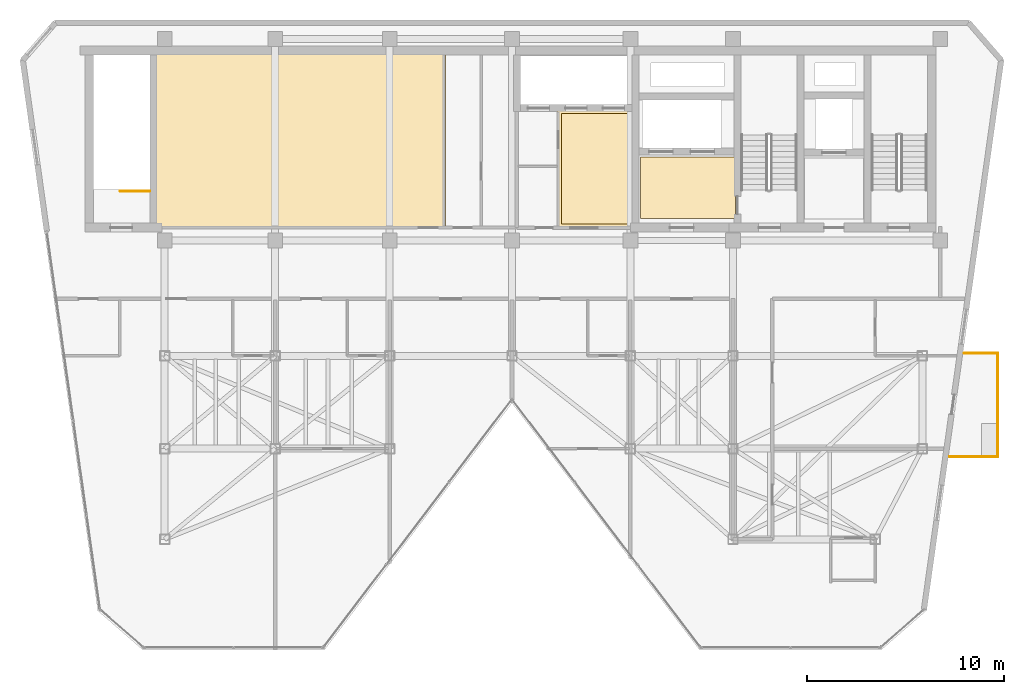
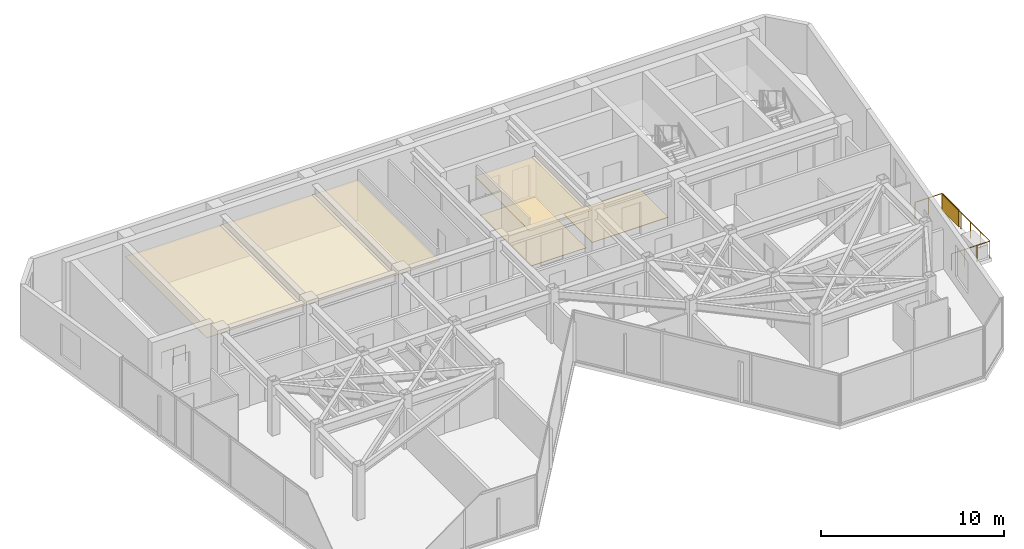
# One storey, part 19 of 20: 4 coverings, 4 railings, 1 shading device.
"""IFC4 building model written with IfcOpenShell, lengths in metres."""

from ifc_helpers import new_model, si_unit, direction, frame, origin, origin_2d, place, context, subcontext, project, spatial, polyline, rectangle, circle, outline, extrude, material, layer, layer_set, type_object, element, save


model = new_model("IFC4")

# Units and contexts
model_context = context("Model", 3, precision=1e-05, world=origin(), true_north=direction((0.0, 1.0)))
body_context = subcontext(model_context, "Body", "Model", "MODEL_VIEW")
ifc_project = project(units=[si_unit("LENGTHUNIT", "METRE"), si_unit("AREAUNIT", "SQUARE_METRE"), si_unit("VOLUMEUNIT", "CUBIC_METRE"), si_unit("PLANEANGLEUNIT", "RADIAN"), si_unit("MASSUNIT", "GRAM", prefix="KILO")], contexts=[model_context])

# Site, building, storey
site_placement = place(None, origin())
site = spatial("IfcSite", under=ifc_project, at=site_placement, CompositionType="ELEMENT")
building_placement = place(site_placement, origin())
building = spatial("IfcBuilding", under=site, at=building_placement, Name="Kravanh Interchange Tower", CompositionType="ELEMENT")
storey_placement = place(building_placement, frame((0.0, 0.0, 241.800048828125)))
storey = spatial("IfcBuildingStorey", under=building, at=storey_placement, Name="L58", CompositionType="ELEMENT", Elevation=241.800048828125)

# Coverings
ifc_material_1 = material(Name="Cementitious Terrazzo Tile")
ifc_layer_1 = layer(ifc_material_1, 0.030029296875)
ifc_layer_set_1 = layer_set([ifc_layer_1], Name="Honed Terrazzo Lobby Flooring 30mm")
covering_type_1 = type_object("IfcCoveringType", Name="Honed Terrazzo Lobby Flooring 30mm", PredefinedType="FLOORING", material=ifc_layer_set_1)
covering_1_placement = place(storey_placement, origin())
element("IfcCovering", 1, at=covering_1_placement, inside=storey, type_object=covering_type_1, Name="L58 Firefighting Lobby Floor Finish", PredefinedType="FLOORING", context=body_context, shape_type="SweptSolid", body=[
    extrude(outline(polyline([(56.1201171875, 38.4599609375), (51.300048828125, 38.4599609375), (51.300048828125, 41.580078125), (56.1201171875, 41.580078125), (56.1201171875, 38.4599609375)])), origin(), (0.0, 0.0, 1.0), 0.030029296875),
])
covering_2_placement = place(storey_placement, origin())
element("IfcCovering", 2, at=covering_2_placement, inside=storey, type_object=covering_type_1, Name="L58 High-Rise Lift Lobby Floor Finish", PredefinedType="FLOORING", context=body_context, shape_type="SweptSolid", body=[
    extrude(outline(polyline([(47.300048828125, 43.77001953125), (50.77001953125, 43.77001953125), (50.77001953125, 38.179931640625), (47.300048828125, 38.179931640625), (47.300048828125, 43.77001953125)])), origin(), (0.0, 0.0, 1.0), 0.030029296875),
])
ifc_material_2 = material(Name="Anodised Bronze Aluminium Acoustic Baffle", Category="aluminium")
ifc_layer_2 = layer(ifc_material_2, 0.034912109375)
ifc_layer_set_2 = layer_set([ifc_layer_2], Name="Linear Bronze Baffle Feature Ceiling 35mm")
covering_type_2 = type_object("IfcCoveringType", Name="Linear Bronze Baffle Feature Ceiling 35mm", PredefinedType="CEILING", material=ifc_layer_set_2)
covering_3_placement = place(storey_placement, frame((0.0, 0.0, 2.550048828125)))
element("IfcCovering", 3, at=covering_3_placement, inside=storey, type_object=covering_type_2, Name="L58 North Library Reading Lounge Suspended Ceiling", PredefinedType="CEILING", context=body_context, shape_type="SweptSolid", body=[
    extrude(outline(polyline([(41.429931640625, 46.889892578125), (41.429931640625, 37.9599609375), (26.7099609375, 37.9599609375), (26.7099609375, 46.889892578125), (41.429931640625, 46.889892578125)])), origin(), (0.0, 0.0, 1.0), 0.034912109375),
])
ifc_material_3 = material(Name="Acoustic Mineral Fibre Tile on Aluminium Grid", Category="aluminium")
ifc_layer_3 = layer(ifc_material_3, 0.02490234375)
ifc_layer_set_3 = layer_set([ifc_layer_3], Name="Perforated Acoustic Mineral Ceiling 25mm")
covering_type_3 = type_object("IfcCoveringType", Name="Perforated Acoustic Mineral Ceiling 25mm", PredefinedType="CEILING", material=ifc_layer_set_3)
covering_4_placement = place(storey_placement, frame((0.0, 0.0, 2.550048828125)))
element("IfcCovering", 4, at=covering_4_placement, inside=storey, type_object=covering_type_3, Name="L58 High-Rise Lift Lobby Suspended Ceiling", PredefinedType="CEILING", context=body_context, shape_type="SweptSolid", body=[
    extrude(outline(polyline([(50.989990234375, 37.9599609375), (47.080078125, 37.9599609375), (47.080078125, 43.989990234375), (50.989990234375, 43.989990234375), (50.989990234375, 37.9599609375)])), origin(), (0.0, 0.0, 1.0), 0.02490234375),
])

# Shading device
ifc_material_4 = material(Name="Perforated Anodised Bronze Aluminium", Category="aluminium")
ifc_layer_4 = layer(ifc_material_4, 0.0400390625)
ifc_layer_set_4 = layer_set([ifc_layer_4], Name="Perforated Bronze Balcony Privacy Screen 1150mm")
shading_device_type = type_object("IfcShadingDeviceType", Name="Perforated Bronze Balcony Privacy Screen 1150mm", PredefinedType="USERDEFINED", material=ifc_layer_set_4)
shading_device_placement = place(storey_placement, frame((69.409912109375, 30.659912109375, 0.0), z_axis=(0.0, 0.0, 1.0), x_axis=(1.0, 0.0, 0.0)))
element("IfcShadingDevice", 5, at=shading_device_placement, inside=storey, type_object=shading_device_type, Name="L58 E Perforated Bronze BALCONY SCREEN", ObjectType="SCREEN", PredefinedType="USERDEFINED", context=body_context, shape_type="SweptSolid", body=[
    extrude(rectangle(XDim=0.0400390625, YDim=1.800048828125, at=origin_2d()), origin(), (0.0, 0.0, 1.0), 1.14990234375),
])

# Railings
ifc_material_5 = material(Name="Stainless Steel 316", Category="steel")
ifc_layer_5 = layer(ifc_material_5, 0.06005859375)
ifc_layer_set_5 = layer_set([ifc_layer_5], Name="Perimeter Balcony and Terrace Guardrail Stainless 316 1120mm")
railing_type_1 = type_object("IfcRailingType", Name="Perimeter Balcony and Terrace Guardrail Stainless 316 1120mm", PredefinedType="GUARDRAIL", material=ifc_layer_set_5)
railing_1_placement = place(storey_placement, frame((69.409912109375, 31.6298828125, 0.0)))
element("IfcRailing", 6, at=railing_1_placement, inside=storey, type_object=railing_type_1, Name="L58 E Balcony Guardrail 1", PredefinedType="GUARDRAIL", context=body_context, shape_type="SweptSolid", body=[
    extrude(circle(Radius=0.02392578125, at=origin_2d()), frame((0.0, 0.0, 1.09619140625), z_axis=(0.0, -1.0, 0.0), x_axis=(1.0, 0.0, 0.0)), (0.0, 0.0, 1.0), 5.239990234375),
    extrude(circle(Radius=0.02099609375, at=origin_2d()), origin(), (0.0, 0.0, 1.0), 1.072021484375),
    extrude(circle(Radius=0.02099609375, at=origin_2d()), frame((0.0, -1.048095703125, 0.0)), (0.0, 0.0, 1.0), 1.072021484375),
    extrude(circle(Radius=0.02099609375, at=origin_2d()), frame((0.0, -2.095947265625, 0.0)), (0.0, 0.0, 1.0), 1.072021484375),
    extrude(circle(Radius=0.02099609375, at=origin_2d()), frame((0.0, -3.14404296875, 0.0)), (0.0, 0.0, 1.0), 1.072021484375),
    extrude(circle(Radius=0.02099609375, at=origin_2d()), frame((0.0, -4.19189453125, 0.0)), (0.0, 0.0, 1.0), 1.072021484375),
    extrude(circle(Radius=0.02099609375, at=origin_2d()), frame((0.0, -5.239990234375, 0.0)), (0.0, 0.0, 1.0), 1.072021484375),
])
railing_2_placement = place(storey_placement, frame((69.409912109375, 26.389892578125, 0.0)))
element("IfcRailing", 7, at=railing_2_placement, inside=storey, type_object=railing_type_1, Name="L58 E Balcony Guardrail 2", PredefinedType="GUARDRAIL", context=body_context, shape_type="SweptSolid", body=[
    extrude(circle(Radius=0.02392578125, at=origin_2d()), frame((0.0, 0.0, 1.09619140625), z_axis=(-1.0, 0.0, 0.0), x_axis=(0.0, -1.0, 0.0)), (0.0, 0.0, 1.0), 2.42138671875),
    extrude(circle(Radius=0.02099609375, at=origin_2d()), origin(), (0.0, 0.0, 1.0), 1.072021484375),
    extrude(circle(Radius=0.02099609375, at=origin_2d()), frame((-0.80712890625, 0.0, 0.0)), (0.0, 0.0, 1.0), 1.072021484375),
    extrude(circle(Radius=0.02099609375, at=origin_2d()), frame((-1.6142578125, 0.0, 0.0)), (0.0, 0.0, 1.0), 1.072021484375),
    extrude(circle(Radius=0.02099609375, at=origin_2d()), frame((-2.42138671875, 0.0, 0.0)), (0.0, 0.0, 1.0), 1.072021484375),
])
railing_3_placement = place(storey_placement, frame((67.72509765625, 31.6298828125, 0.0)))
element("IfcRailing", 8, at=railing_3_placement, inside=storey, type_object=railing_type_1, Name="L58 E Balcony Guardrail 3", PredefinedType="GUARDRAIL", context=body_context, shape_type="SweptSolid", body=[
    extrude(circle(Radius=0.02392578125, at=origin_2d()), frame((0.0, 0.0, 1.09619140625), z_axis=(1.0, 0.0, 0.0), x_axis=(0.0, 1.0, 0.0)), (0.0, 0.0, 1.0), 1.684814453125),
    extrude(circle(Radius=0.02099609375, at=origin_2d()), origin(), (0.0, 0.0, 1.0), 1.072021484375),
    extrude(circle(Radius=0.02099609375, at=origin_2d()), frame((0.84228515625, 0.0, 0.0)), (0.0, 0.0, 1.0), 1.072021484375),
    extrude(circle(Radius=0.02099609375, at=origin_2d()), frame((1.684814453125, 0.0, 0.0)), (0.0, 0.0, 1.0), 1.072021484375),
])
ifc_material_6 = material(Name="Structural Steel S355", Category="steel")
ifc_layer_6 = layer(ifc_material_6, 0.050048828125)
ifc_layer_set_6 = layer_set([ifc_layer_6], Name="Stair Well Guardrail Structural Steel S355 1100mm")
railing_type_2 = type_object("IfcRailingType", Name="Stair Well Guardrail Structural Steel S355 1100mm", PredefinedType="GUARDRAIL", material=ifc_layer_set_6)
railing_4_placement = place(storey_placement, frame((26.449951171875, 39.85009765625, 0.0)))
element("IfcRailing", 9, at=railing_4_placement, inside=storey, type_object=railing_type_2, Name="L58 ST3 top well guard 1", PredefinedType="GUARDRAIL", context=body_context, shape_type="SweptSolid", body=[
    extrude(circle(Radius=0.02392578125, at=origin_2d()), frame((0.0, 0.0, 1.076171875), z_axis=(-1.0, 0.0, 0.0), x_axis=(0.0, -1.0, 0.0)), (0.0, 0.0, 1.0), 1.5),
    extrude(circle(Radius=0.02099609375, at=origin_2d()), origin(), (0.0, 0.0, 1.0), 1.052001953125),
    extrude(circle(Radius=0.02099609375, at=origin_2d()), frame((-0.75, 0.0, 0.0)), (0.0, 0.0, 1.0), 1.052001953125),
    extrude(circle(Radius=0.02099609375, at=origin_2d()), frame((-1.5, 0.0, 0.0)), (0.0, 0.0, 1.0), 1.052001953125),
])

save(model, "model.ifc")
